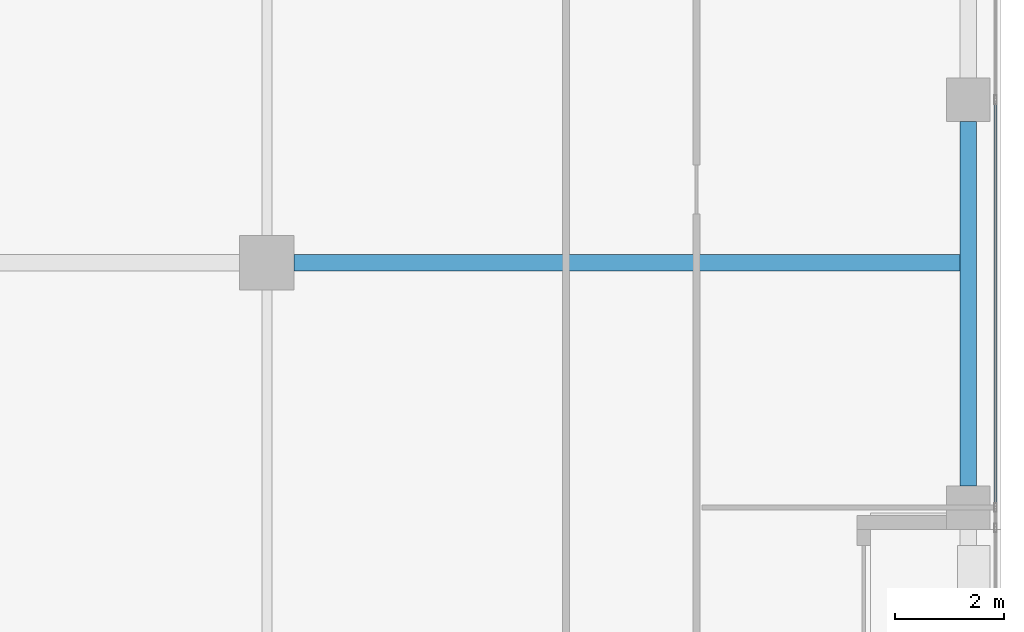
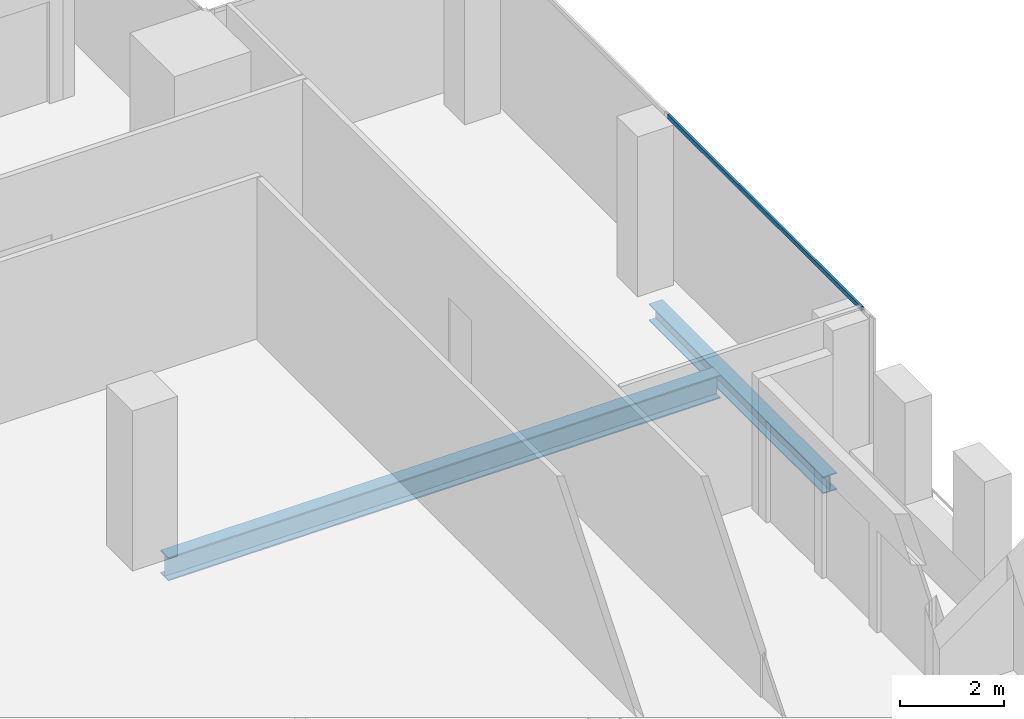
# One storey, part 12 of 29: 2 beams, 1 member, 1 element without a shape of its own.
"""IFC4 building model written with IfcOpenShell, lengths in metres."""

from ifc_helpers import new_model, si_unit, direction, frame, origin, origin_2d, place, context, subcontext, project, spatial, hollow_rectangle, i_section, extrude, source, transform, mapped, material, material_profile, profile_set, type_object, element, aggregate, save


model = new_model("IFC4")

# Units and contexts
model_context = context("Model", 3, precision=1e-05, world=origin(), true_north=direction((0.0, 1.0)))
body_context = subcontext(model_context, "Body", "Model", "MODEL_VIEW")
ifc_project = project(units=[si_unit("LENGTHUNIT", "METRE"), si_unit("AREAUNIT", "SQUARE_METRE"), si_unit("VOLUMEUNIT", "CUBIC_METRE"), si_unit("PLANEANGLEUNIT", "RADIAN"), si_unit("MASSUNIT", "GRAM", prefix="KILO")], contexts=[model_context])

# Site, building, storey
site_placement = place(None, origin())
site = spatial("IfcSite", under=ifc_project, at=site_placement, CompositionType="ELEMENT")
building_placement = place(site_placement, origin())
building = spatial("IfcBuilding", under=site, at=building_placement, Name="Khomas Fold Tower", CompositionType="ELEMENT")
storey_placement = place(building_placement, frame((0.0, 0.0, 326.199951171875)))
storey = spatial("IfcBuildingStorey", under=building, at=storey_placement, Name="L74", CompositionType="ELEMENT", Elevation=326.199951171875)

# Beams
ifc_material_1 = material(Name="Steel S355", Category="steel")
ifc_material_profile_1 = material_profile(ifc_material_1, i_section(OverallWidth=0.300048828125, OverallDepth=0.39990234375, WebThickness=0.013427734375, FlangeThickness=0.02392578125, at=origin_2d()), Name="HE 400 B")
ifc_profile_set_1 = profile_set([ifc_material_profile_1], Name="Steel S355")
beam_type_1 = type_object("IfcBeamType", Name="HE 400 B spandrel SB5", PredefinedType="SPANDREL", material=ifc_profile_set_1)
shared_shape_1 = source(origin(), body_context, "Body", "SweptSolid", [
    extrude(i_section(OverallWidth=0.300048828125, OverallDepth=0.39990234375, WebThickness=0.013427734375, FlangeThickness=0.02392578125, at=origin_2d()), origin(), (0.0, 0.0, 1.0), 6.7001953125),
])
beam_1_placement = place(storey_placement, frame((47.39990234375, 27.39990234375, -0.449951171875), z_axis=(0.0, 1.0, 0.0), x_axis=(-1.0, 0.0, 0.0)))
element("IfcBeam", 1, at=beam_1_placement, inside=storey, type_object=beam_type_1, Name="SB5", PredefinedType="SPANDREL", context=body_context, shape_type="MappedRepresentation", body=[
    mapped(shared_shape_1, transform((0.0, 0.0, 0.0))),
])
ifc_material_2 = material(Name="Steel S355", Category="steel")
ifc_material_profile_2 = material_profile(ifc_material_2, i_section(OverallWidth=0.300048828125, OverallDepth=0.550048828125, WebThickness=0.014892578125, FlangeThickness=0.029052734375, at=origin_2d()), Name="HE 550 B")
ifc_profile_set_2 = profile_set([ifc_material_profile_2], Name="Steel S355")
beam_type_2 = type_object("IfcBeamType", Name="HE 550 B beam GB4", PredefinedType="BEAM", material=ifc_profile_set_2)
shared_shape_2 = source(origin(), body_context, "Body", "SweptSolid", [
    extrude(i_section(OverallWidth=0.300048828125, OverallDepth=0.550048828125, WebThickness=0.014892578125, FlangeThickness=0.029052734375, at=origin_2d()), origin(), (0.0, 0.0, 1.0), 12.25),
])
beam_2_placement = place(storey_placement, frame((35.0, 31.5, -0.52490234375), z_axis=(1.0, 0.0, 0.0), x_axis=(0.0, 1.0, 0.0)))
element("IfcBeam", 2, at=beam_2_placement, inside=storey, type_object=beam_type_2, Name="GB4", PredefinedType="BEAM", context=body_context, shape_type="MappedRepresentation", body=[
    mapped(shared_shape_2, transform((0.0, 0.0, 0.0))),
])

# Curtain wall, member
ifc_material_3 = material(Name="Aluminium framed double glazing", Category="aluminium")
curtain_wall_type = type_object("IfcCurtainWallType", Name="SK-Unitised clear-glass wall, upper floors CW3", PredefinedType="NOTDEFINED", material=ifc_material_3)
curtain_wall_placement = place(storey_placement, origin())
curtain_wall = element("IfcCurtainWall", 3, at=curtain_wall_placement, inside=storey, type_object=curtain_wall_type, Name="CW3 run L74 03-1", PredefinedType="NOTDEFINED")
ifc_material_4 = material(Name="Aluminium", Category="aluminium")
ifc_material_profile_3 = material_profile(ifc_material_4, hollow_rectangle(XDim=0.050048828125, YDim=0.10009765625, WallThickness=0.00390625, at=origin_2d()), Name="SK-Unitised clear-glass wall, upper floors transom CW3-T")
ifc_profile_set_3 = profile_set([ifc_material_profile_3], Name="Aluminium")
member_type = type_object("IfcMemberType", Name="SK-Unitised clear-glass wall, upper floors transom CW3-T", PredefinedType="USERDEFINED", material=ifc_profile_set_3)
shared_shape_3 = source(origin(), body_context, "Body", "SweptSolid", [
    extrude(hollow_rectangle(XDim=0.050048828125, YDim=0.10009765625, WallThickness=0.00390625, at=origin_2d()), origin(), (0.0, 0.0, 1.0), 7.4501953125),
])
member_placement = place(storey_placement, frame((47.89990234375, 27.02490234375, 3.699951171875), z_axis=(0.0, 1.0, 0.0), x_axis=(-1.0, 0.0, 0.0)))
member = element("IfcMember", 4, at=member_placement, type_object=member_type, Name="CW3 transom 2", ObjectType="TRANSOM", PredefinedType="USERDEFINED", context=body_context, shape_type="MappedRepresentation", body=[
    mapped(shared_shape_3, transform((0.0, 0.0, 0.0))),
])
aggregate(curtain_wall, [member])

save(model, "model.ifc")
